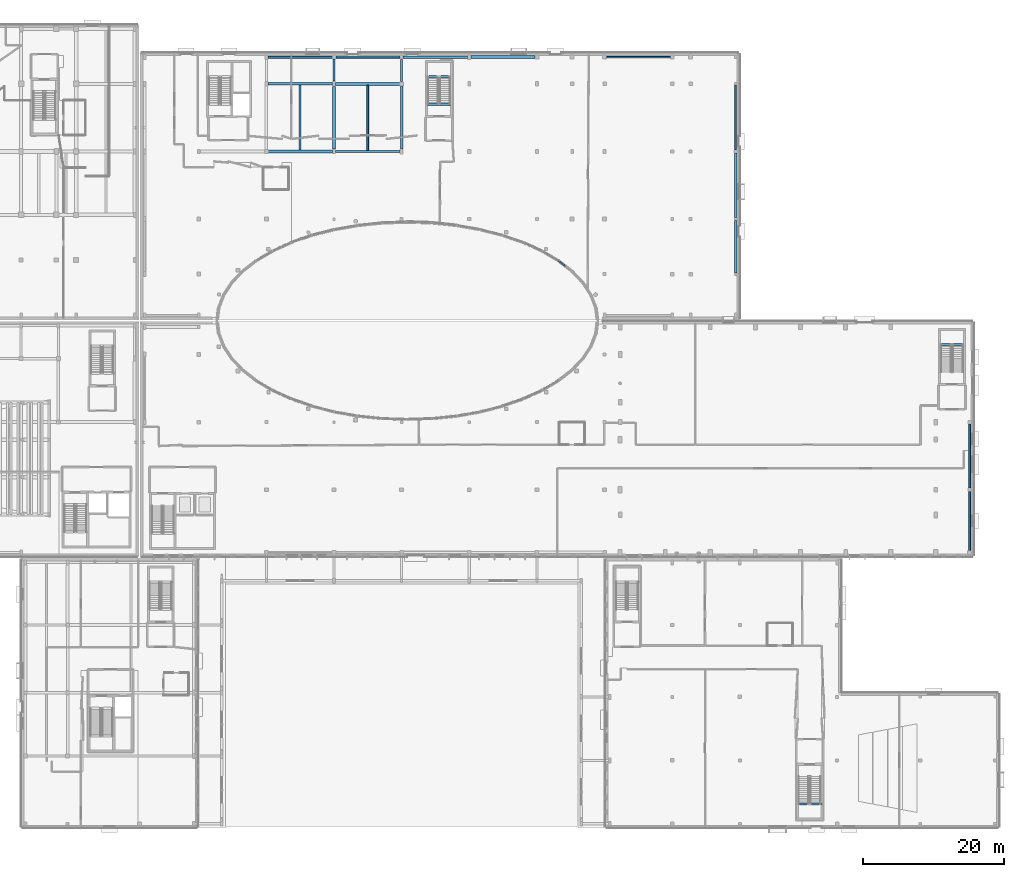
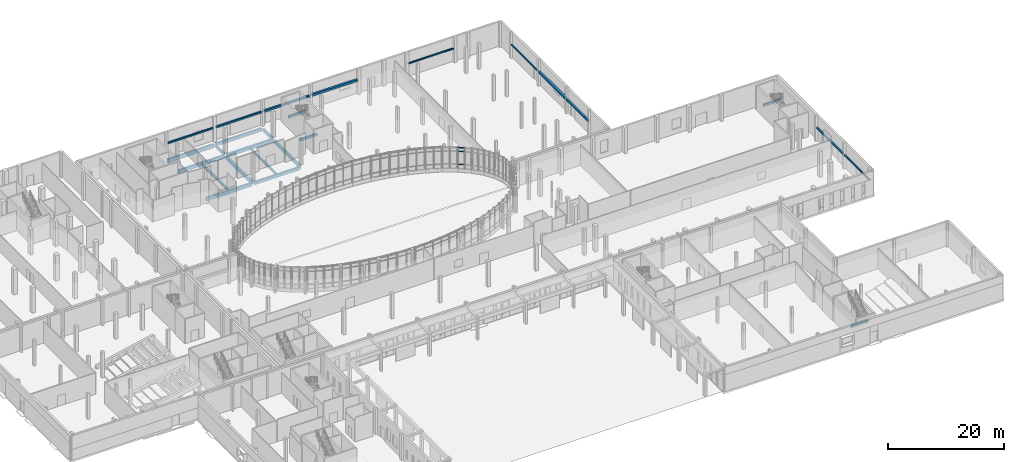
# One storey, part 26 of 84: 26 beams, 3 members, 1 element without a shape of its own.
"""IFC4 building model written with IfcOpenShell, lengths in metres."""

from ifc_helpers import new_model, si_unit, direction, frame, origin, origin_2d, place, context, subcontext, project, spatial, rectangle, extrude, material, material_profile, profile_set, type_object, element, aggregate, save


model = new_model("IFC4")

# Units and contexts
model_context = context("Model", 3, precision=1e-05, world=origin(), true_north=direction((0.0, 1.0)))
body_context = subcontext(model_context, "Body", "Model", "MODEL_VIEW")
ifc_project = project(units=[si_unit("LENGTHUNIT", "METRE"), si_unit("AREAUNIT", "SQUARE_METRE"), si_unit("VOLUMEUNIT", "CUBIC_METRE"), si_unit("PLANEANGLEUNIT", "RADIAN"), si_unit("MASSUNIT", "GRAM", prefix="KILO")], contexts=[model_context])

# Site, building, storey
site_placement = place(None, origin())
site = spatial("IfcSite", under=ifc_project, at=site_placement, CompositionType="ELEMENT")
building_placement = place(site_placement, origin())
building = spatial("IfcBuilding", under=site, at=building_placement, Name="Mzevani Central Library", CompositionType="ELEMENT")
storey_placement = place(building_placement, origin())
storey = spatial("IfcBuildingStorey", under=building, at=storey_placement, Name="L00", CompositionType="ELEMENT", Elevation=0.0)

# Beams
ifc_material_1 = material(Name="Concrete C35/45", Category="concrete")
ifc_material_profile_1 = material_profile(ifc_material_1, rectangle(XDim=0.300048828125, YDim=0.5, at=origin_2d()), Name="RC B300x500")
ifc_profile_set_1 = profile_set([ifc_material_profile_1], Name="Concrete C35/45")
beam_type_1 = type_object("IfcBeamType", Name="Beam RC 300x500", PredefinedType="BEAM", material=ifc_profile_set_1)
beam_1_placement = place(storey_placement, frame((73.60009765625, 109.97509765625, -0.64990234375), z_axis=(0.0, 1.0, 0.0), x_axis=(-1.0, 0.0, 0.0)))
element("IfcBeam", 1, at=beam_1_placement, inside=storey, type_object=beam_type_1, Name="L00 V3 Frame Beam B-01 (440)", PredefinedType="BEAM", context=body_context, shape_type="SweptSolid", body=[
    extrude(rectangle(XDim=0.300048828125, YDim=0.5, at=origin_2d()), origin(), (0.0, 0.0, 1.0), 3.125),
])
for number, where, z_axis, x_axis, name in (
    (2, (159.580078125, 72.6201171875, 2.25), (1.0, 0.0, 0.0), (0.0, 1.0, 0.0), "L00 Core C1B Reading Hall East Stair Landing Beam 1"),
    (3, (86.780029296875, 110.6201171875, 2.25), (1.0, 0.0, 0.0), (0.0, 1.0, 0.0), "L00 Core C3B Atrium East Escape Stair Stair Landing Beam 1"),
    (4, (86.780029296875, 106.699951171875, -0.25), (1.0, 0.0, 0.0), (0.0, 1.0, 0.0), "L00 Core C3B Atrium East Escape Stair Stair Opening Trimmer Beam"),
):
    element("IfcBeam", number, at=place(storey_placement, frame(where, z_axis=z_axis, x_axis=x_axis)), inside=storey, type_object=beam_type_1, Name=name, PredefinedType="BEAM", context=body_context, shape_type="SweptSolid", body=[
        extrude(rectangle(XDim=0.300048828125, YDim=0.5, at=origin_2d()), origin(), (0.0, 0.0, 1.0), 3.43994140625),
    ])
beam_2_placement = place(storey_placement, frame((139.3798828125, 7.3798828125, 2.25), z_axis=(1.0, 0.0, 0.0), x_axis=(0.0, 1.0, 0.0)))
element("IfcBeam", 5, at=beam_2_placement, inside=storey, type_object=beam_type_1, Name="L00 Core C6B Children's Pavilion East Stair Stair Landing Beam 1", PredefinedType="BEAM", context=body_context, shape_type="SweptSolid", body=[
    extrude(rectangle(XDim=0.300048828125, YDim=0.5, at=origin_2d()), origin(), (0.0, 0.0, 1.0), 3.440185546875),
])
ifc_material_profile_2 = material_profile(ifc_material_1, rectangle(XDim=0.300048828125, YDim=0.60009765625, at=origin_2d()), Name="RC B300x600")
ifc_profile_set_2 = profile_set([ifc_material_profile_2], Name="Concrete C35/45")
beam_type_2 = type_object("IfcBeamType", Name="Beam RC 300x600", PredefinedType="BEAM", material=ifc_profile_set_2)
beam_3_placement = place(storey_placement, frame((83.199951171875, 109.89990234375, -0.699951171875), z_axis=(0.0, 1.0, 0.0), x_axis=(-1.0, 0.0, 0.0)))
element("IfcBeam", 6, at=beam_3_placement, inside=storey, type_object=beam_type_2, Name="L00 V3 Frame Beam B-03 (442)", PredefinedType="BEAM", context=body_context, shape_type="SweptSolid", body=[
    extrude(rectangle(XDim=0.300048828125, YDim=0.60009765625, at=origin_2d()), origin(), (0.0, 0.0, 1.0), 3.175048828125),
])
ifc_material_profile_3 = material_profile(ifc_material_1, rectangle(XDim=0.35009765625, YDim=0.64990234375, at=origin_2d()), Name="RC B350x650")
ifc_profile_set_3 = profile_set([ifc_material_profile_3], Name="Concrete C35/45")
beam_type_3 = type_object("IfcBeamType", Name="Beam RC 350x650", PredefinedType="BEAM", material=ifc_profile_set_3)
beam_4_placement = place(storey_placement, frame((73.824951171875, 100.0, -0.72509765625), z_axis=(1.0, 0.0, 0.0), x_axis=(0.0, 1.0, 0.0)))
element("IfcBeam", 7, at=beam_4_placement, inside=storey, type_object=beam_type_3, Name="L00 V3 Girder B-05 (432)", PredefinedType="BEAM", context=body_context, shape_type="SweptSolid", body=[
    extrude(rectangle(XDim=0.35009765625, YDim=0.64990234375, at=origin_2d()), origin(), (0.0, 0.0, 1.0), 9.150146484375),
])
beam_5_placement = place(storey_placement, frame((73.800048828125, 113.39990234375, -0.72509765625), z_axis=(1.0, 0.0, 0.0), x_axis=(0.0, 1.0, 0.0)))
element("IfcBeam", 8, at=beam_5_placement, inside=storey, type_object=beam_type_3, Name="L00 V3 Girder B-05 (436)", PredefinedType="BEAM", context=body_context, shape_type="SweptSolid", body=[
    extrude(rectangle(XDim=0.35009765625, YDim=0.64990234375, at=origin_2d()), origin(), (0.0, 0.0, 1.0), 9.175048828125),
])
ifc_material_profile_4 = material_profile(ifc_material_1, rectangle(XDim=0.35009765625, YDim=0.699951171875, at=origin_2d()), Name="RC B350x700")
ifc_profile_set_4 = profile_set([ifc_material_profile_4], Name="Concrete C35/45")
beam_type_4 = type_object("IfcBeamType", Name="Beam RC 350x700", PredefinedType="BEAM", material=ifc_profile_set_4)
beam_6_placement = place(storey_placement, frame((64.22509765625, 109.60009765625, -0.75), z_axis=(1.0, 0.0, 0.0), x_axis=(0.0, 1.0, 0.0)))
element("IfcBeam", 9, at=beam_6_placement, inside=storey, type_object=beam_type_4, Name="L00 V3 Girder B-06 (433)", PredefinedType="BEAM", context=body_context, shape_type="SweptSolid", body=[
    extrude(rectangle(XDim=0.35009765625, YDim=0.699951171875, at=origin_2d()), origin(), (0.0, 0.0, 1.0), 9.14990234375),
])
beam_7_placement = place(storey_placement, frame((83.199951171875, 100.375, -0.75), z_axis=(0.0, 1.0, 0.0), x_axis=(-1.0, 0.0, 0.0)))
element("IfcBeam", 10, at=beam_7_placement, inside=storey, type_object=beam_type_4, Name="L00 V3 Frame Beam B-06 (441)", PredefinedType="BEAM", context=body_context, shape_type="SweptSolid", body=[
    extrude(rectangle(XDim=0.35009765625, YDim=0.699951171875, at=origin_2d()), origin(), (0.0, 0.0, 1.0), 8.925048828125),
])
ifc_material_profile_5 = material_profile(ifc_material_1, rectangle(XDim=0.39990234375, YDim=0.64990234375, at=origin_2d()), Name="RC B400x650")
ifc_profile_set_5 = profile_set([ifc_material_profile_5], Name="Concrete C35/45")
beam_type_5 = type_object("IfcBeamType", Name="Beam RC 400x650", PredefinedType="BEAM", material=ifc_profile_set_5)
beam_8_placement = place(storey_placement, frame((73.824951171875, 109.60009765625, -0.72509765625), z_axis=(1.0, 0.0, 0.0), x_axis=(0.0, 1.0, 0.0)))
element("IfcBeam", 11, at=beam_8_placement, inside=storey, type_object=beam_type_5, Name="L00 V3 Girder B-07 (434)", PredefinedType="BEAM", context=body_context, shape_type="SweptSolid", body=[
    extrude(rectangle(XDim=0.39990234375, YDim=0.64990234375, at=origin_2d()), origin(), (0.0, 0.0, 1.0), 9.175048828125),
])
ifc_material_profile_6 = material_profile(ifc_material_1, rectangle(XDim=0.39990234375, YDim=0.699951171875, at=origin_2d()), Name="RC B400x700")
ifc_profile_set_6 = profile_set([ifc_material_profile_6], Name="Concrete C35/45")
beam_type_6 = type_object("IfcBeamType", Name="Beam RC 400x700", PredefinedType="BEAM", material=ifc_profile_set_6)
beam_9_placement = place(storey_placement, frame((64.199951171875, 100.0, -0.75), z_axis=(1.0, 0.0, 0.0), x_axis=(0.0, 1.0, 0.0)))
element("IfcBeam", 12, at=beam_9_placement, inside=storey, type_object=beam_type_6, Name="L00 V3 Girder B-08 (431)", PredefinedType="BEAM", context=body_context, shape_type="SweptSolid", body=[
    extrude(rectangle(XDim=0.39990234375, YDim=0.699951171875, at=origin_2d()), origin(), (0.0, 0.0, 1.0), 9.175048828125),
])
beam_10_placement = place(storey_placement, frame((73.60009765625, 100.324951171875, -0.75), z_axis=(0.0, 1.0, 0.0), x_axis=(-1.0, 0.0, 0.0)))
element("IfcBeam", 13, at=beam_10_placement, inside=storey, type_object=beam_type_6, Name="L00 V3 Frame Beam B-08 (439)", PredefinedType="BEAM", context=body_context, shape_type="SweptSolid", body=[
    extrude(rectangle(XDim=0.39990234375, YDim=0.699951171875, at=origin_2d()), origin(), (0.0, 0.0, 1.0), 8.900146484375),
])

# Curtain wall, members
ifc_material_2 = material(Name="Thermally broken aluminium and Low-E triple glazing", Category="aluminium")
curtain_wall_type = type_object("IfcCurtainWallType", Name="Elliptical Court Unitised Curtain Wall", PredefinedType="NOTDEFINED", material=ifc_material_2)
curtain_wall_placement = place(storey_placement, origin())
curtain_wall = element("IfcCurtainWall", 14, at=curtain_wall_placement, inside=storey, type_object=curtain_wall_type, Name="L00 Elliptical Court Curtain Wall 5", PredefinedType="NOTDEFINED")
ifc_material_3 = material(Name="Thermally broken aluminium AW-6060", Category="aluminium")
ifc_material_profile_7 = material_profile(ifc_material_3, rectangle(XDim=0.18994140625, YDim=0.070068359375, at=origin_2d()), Name="ALU T70x190")
ifc_profile_set_7 = profile_set([ifc_material_profile_7], Name="Thermally broken aluminium AW-6060")
member_type = type_object("IfcMemberType", Name="CW Transom 70x190", PredefinedType="USERDEFINED", material=ifc_profile_set_7)
member_1_placement = place(storey_placement, frame((106.443603515625, 83.72900390625, 1.6201171875), z_axis=(-0.791826150421, 0.610746549322, 0.0), x_axis=(-0.610746549322, -0.791826150421, 0.0)))
member_1 = element("IfcMember", 15, at=member_1_placement, type_object=member_type, Name="L00 Elliptical Court Curtain Wall 5 Transom 6", ObjectType="TRANSOM", PredefinedType="USERDEFINED", context=body_context, shape_type="SweptSolid", body=[
    extrude(rectangle(XDim=0.18994140625, YDim=0.070068359375, at=origin_2d()), origin(), (0.0, 0.0, 1.0), 1.2294921875),
])
member_2_placement = place(storey_placement, frame((106.443603515625, 83.72900390625, 4.3701171875), z_axis=(-0.791826150421, 0.610746549322, 0.0), x_axis=(-0.610746549322, -0.791826150421, 0.0)))
member_2 = element("IfcMember", 16, at=member_2_placement, type_object=member_type, Name="L00 Elliptical Court Curtain Wall 5 Transom 7", ObjectType="TRANSOM", PredefinedType="USERDEFINED", context=body_context, shape_type="SweptSolid", body=[
    extrude(rectangle(XDim=0.18994140625, YDim=0.070068359375, at=origin_2d()), origin(), (0.0, 0.0, 1.0), 1.2294921875),
])
member_3_placement = place(storey_placement, frame((106.443603515625, 83.72900390625, 5.1201171875), z_axis=(-0.791826150421, 0.610746549322, 0.0), x_axis=(-0.610746549322, -0.791826150421, 0.0)))
member_3 = element("IfcMember", 17, at=member_3_placement, type_object=member_type, Name="L00 Elliptical Court Curtain Wall 5 Transom 8", ObjectType="TRANSOM", PredefinedType="USERDEFINED", context=body_context, shape_type="SweptSolid", body=[
    extrude(rectangle(XDim=0.18994140625, YDim=0.070068359375, at=origin_2d()), origin(), (0.0, 0.0, 1.0), 1.2294921875),
])
aggregate(curtain_wall, [member_1, member_2, member_3])

# Beams
ifc_material_4 = material(Name="Precast concrete C40/50", Category="concrete")
ifc_material_profile_8 = material_profile(ifc_material_4, rectangle(XDim=0.35009765625, YDim=0.800048828125, at=origin_2d()), Name="RC SP350x800")
ifc_profile_set_8 = profile_set([ifc_material_profile_8], Name="Precast concrete C40/50")
beam_type_7 = type_object("IfcBeamType", Name="Colonnade Fascia Beam RC 350x800", PredefinedType="SPANDREL", material=ifc_profile_set_8)
beam_11_placement = place(storey_placement, frame((64.22509765625, 113.39990234375, -0.800048828125), z_axis=(1.0, 0.0, 0.0), x_axis=(0.0, 1.0, 0.0)))
element("IfcBeam", 18, at=beam_11_placement, inside=storey, type_object=beam_type_7, Name="L00 V3 Girder SP-02 (435)", PredefinedType="SPANDREL", context=body_context, shape_type="SweptSolid", body=[
    extrude(rectangle(XDim=0.35009765625, YDim=0.800048828125, at=origin_2d()), origin(), (0.0, 0.0, 1.0), 9.1748046875),
])
ifc_material_profile_9 = material_profile(ifc_material_1, rectangle(XDim=0.25, YDim=0.449951171875, at=origin_2d()), Name="RC J250x450")
ifc_profile_set_9 = profile_set([ifc_material_profile_9], Name="Concrete C35/45")
beam_type_8 = type_object("IfcBeamType", Name="Floor Joist RC 250x450", PredefinedType="JOIST", material=ifc_profile_set_9)
beam_12_placement = place(storey_placement, frame((78.39990234375, 100.175048828125, -0.625), z_axis=(0.0, 1.0, 0.0), x_axis=(-1.0, 0.0, 0.0)))
element("IfcBeam", 19, at=beam_12_placement, inside=storey, type_object=beam_type_8, Name="L00 V3 Floor Joist BJ-01 (444)", PredefinedType="JOIST", context=body_context, shape_type="SweptSolid", body=[
    extrude(rectangle(XDim=0.25, YDim=0.449951171875, at=origin_2d()), origin(), (0.0, 0.0, 1.0), 9.224853515625),
])
ifc_material_profile_10 = material_profile(ifc_material_1, rectangle(XDim=0.300048828125, YDim=0.449951171875, at=origin_2d()), Name="RC J300x450")
ifc_profile_set_10 = profile_set([ifc_material_profile_10], Name="Concrete C35/45")
beam_type_9 = type_object("IfcBeamType", Name="Floor Joist RC 300x450", PredefinedType="JOIST", material=ifc_profile_set_10)
beam_13_placement = place(storey_placement, frame((68.800048828125, 100.199951171875, -0.625), z_axis=(0.0, 1.0, 0.0), x_axis=(-1.0, 0.0, 0.0)))
element("IfcBeam", 20, at=beam_13_placement, inside=storey, type_object=beam_type_9, Name="L00 V3 Floor Joist BJ-03 (443)", PredefinedType="JOIST", context=body_context, shape_type="SweptSolid", body=[
    extrude(rectangle(XDim=0.300048828125, YDim=0.449951171875, at=origin_2d()), origin(), (0.0, 0.0, 1.0), 9.22509765625),
])
ifc_material_profile_11 = material_profile(ifc_material_4, rectangle(XDim=0.39990234375, YDim=0.449951171875, at=origin_2d()), Name="PC LN400x450")
ifc_profile_set_11 = profile_set([ifc_material_profile_11], Name="Precast concrete C40/50")
beam_type_10 = type_object("IfcBeamType", Name="Precast Portal Lintel 400x450", PredefinedType="LINTEL", material=ifc_profile_set_11)
beam_14_placement = place(storey_placement, frame((93.02490234375, 113.39990234375, 2.97509765625), z_axis=(1.0, 0.0, 0.0), x_axis=(0.0, 1.0, 0.0)))
element("IfcBeam", 21, at=beam_14_placement, inside=storey, type_object=beam_type_10, Name="L00 V3 Precast Portal Lintel (30)", PredefinedType="LINTEL", context=body_context, shape_type="SweptSolid", body=[
    extrude(rectangle(XDim=0.39990234375, YDim=0.449951171875, at=origin_2d()), origin(), (0.0, 0.0, 1.0), 9.10009765625),
])
beam_15_placement = place(storey_placement, frame((130.60009765625, 90.60009765625, 2.97509765625), z_axis=(0.0, 1.0, 0.0), x_axis=(-1.0, 0.0, 0.0)))
element("IfcBeam", 22, at=beam_15_placement, inside=storey, type_object=beam_type_10, Name="L00 V3 Precast Portal Lintel (36)", PredefinedType="LINTEL", context=body_context, shape_type="SweptSolid", body=[
    extrude(rectangle(XDim=0.39990234375, YDim=0.449951171875, at=origin_2d()), origin(), (0.0, 0.0, 1.0), 9.1748046875),
])
ifc_material_profile_12 = material_profile(ifc_material_4, rectangle(XDim=0.199951171875, YDim=0.25, at=origin_2d()), Name="PC LN200x250")
ifc_profile_set_12 = profile_set([ifc_material_profile_12], Name="Precast concrete C40/50")
beam_type_11 = type_object("IfcBeamType", Name="Precast Window Lintel 200x250", PredefinedType="LINTEL", material=ifc_profile_set_12)
beam_16_placement = place(storey_placement, frame((112.27490234375, 113.39990234375, 2.875), z_axis=(1.0, 0.0, 0.0), x_axis=(0.0, 1.0, 0.0)))
element("IfcBeam", 23, at=beam_16_placement, inside=storey, type_object=beam_type_11, Name="L00 V3 Precast Portal Lintel (31)", PredefinedType="LINTEL", context=body_context, shape_type="SweptSolid", body=[
    extrude(rectangle(XDim=0.199951171875, YDim=0.25, at=origin_2d()), origin(), (0.0, 0.0, 1.0), 9.050048828125),
])
beam_17_placement = place(storey_placement, frame((130.60009765625, 100.22509765625, 2.875), z_axis=(0.0, 1.0, 0.0), x_axis=(-1.0, 0.0, 0.0)))
element("IfcBeam", 24, at=beam_17_placement, inside=storey, type_object=beam_type_11, Name="L00 V3 Precast Portal Lintel (37)", PredefinedType="LINTEL", context=body_context, shape_type="SweptSolid", body=[
    extrude(rectangle(XDim=0.199951171875, YDim=0.25, at=origin_2d()), origin(), (0.0, 0.0, 1.0), 9.199951171875),
])
ifc_material_profile_13 = material_profile(ifc_material_4, rectangle(XDim=0.25, YDim=0.300048828125, at=origin_2d()), Name="PC LN250x300")
ifc_profile_set_13 = profile_set([ifc_material_profile_13], Name="Precast concrete C40/50")
beam_type_12 = type_object("IfcBeamType", Name="Precast Window Lintel 250x300", PredefinedType="LINTEL", material=ifc_profile_set_13)
beam_18_placement = place(storey_placement, frame((163.800048828125, 43.375, 2.89990234375), z_axis=(0.0, 1.0, 0.0), x_axis=(-1.0, 0.0, 0.0)))
element("IfcBeam", 25, at=beam_18_placement, inside=storey, type_object=beam_type_12, Name="L00 V1 Precast Portal Lintel (8)", PredefinedType="LINTEL", context=body_context, shape_type="SweptSolid", body=[
    extrude(rectangle(XDim=0.25, YDim=0.300048828125, at=origin_2d()), origin(), (0.0, 0.0, 1.0), 8.39990234375),
])
ifc_material_profile_14 = material_profile(ifc_material_4, rectangle(XDim=0.280029296875, YDim=0.320068359375, at=origin_2d()), Name="PC LN280x320")
ifc_profile_set_14 = profile_set([ifc_material_profile_14], Name="Precast concrete C40/50")
beam_type_13 = type_object("IfcBeamType", Name="Precast Window Lintel 280x320", PredefinedType="LINTEL", material=ifc_profile_set_14)
beam_19_placement = place(storey_placement, frame((163.800048828125, 52.22509765625, 2.909912109375), z_axis=(0.0, 1.0, 0.0), x_axis=(-1.0, 0.0, 0.0)))
element("IfcBeam", 26, at=beam_19_placement, inside=storey, type_object=beam_type_13, Name="L00 V1 Precast Portal Lintel (9)", PredefinedType="LINTEL", context=body_context, shape_type="SweptSolid", body=[
    extrude(rectangle(XDim=0.280029296875, YDim=0.320068359375, at=origin_2d()), origin(), (0.0, 0.0, 1.0), 9.125),
])
beam_20_placement = place(storey_placement, frame((64.22509765625, 113.39990234375, 2.909912109375), z_axis=(1.0, 0.0, 0.0), x_axis=(0.0, 1.0, 0.0)))
element("IfcBeam", 27, at=beam_20_placement, inside=storey, type_object=beam_type_13, Name="L00 V3 Precast Portal Lintel (27)", PredefinedType="LINTEL", context=body_context, shape_type="SweptSolid", body=[
    extrude(rectangle(XDim=0.280029296875, YDim=0.320068359375, at=origin_2d()), origin(), (0.0, 0.0, 1.0), 9.099853515625),
])
ifc_material_profile_15 = material_profile(ifc_material_4, rectangle(XDim=0.300048828125, YDim=0.35009765625, at=origin_2d()), Name="PC LN300x350")
ifc_profile_set_15 = profile_set([ifc_material_profile_15], Name="Precast concrete C40/50")
beam_type_14 = type_object("IfcBeamType", Name="Precast Window Lintel 300x350", PredefinedType="LINTEL", material=ifc_profile_set_15)
beam_21_placement = place(storey_placement, frame((73.875, 113.39990234375, 2.925048828125), z_axis=(1.0, 0.0, 0.0), x_axis=(0.0, 1.0, 0.0)))
element("IfcBeam", 28, at=beam_21_placement, inside=storey, type_object=beam_type_14, Name="L00 V3 Precast Portal Lintel (28)", PredefinedType="LINTEL", context=body_context, shape_type="SweptSolid", body=[
    extrude(rectangle(XDim=0.300048828125, YDim=0.35009765625, at=origin_2d()), origin(), (0.0, 0.0, 1.0), 9.125),
])
ifc_material_profile_16 = material_profile(ifc_material_4, rectangle(XDim=0.35009765625, YDim=0.39990234375, at=origin_2d()), Name="PC LN350x400")
ifc_profile_set_16 = profile_set([ifc_material_profile_16], Name="Precast concrete C40/50")
beam_type_15 = type_object("IfcBeamType", Name="Precast Window Lintel 350x400", PredefinedType="LINTEL", material=ifc_profile_set_16)
beam_22_placement = place(storey_placement, frame((83.39990234375, 113.39990234375, 2.949951171875), z_axis=(1.0, 0.0, 0.0), x_axis=(0.0, 1.0, 0.0)))
element("IfcBeam", 29, at=beam_22_placement, inside=storey, type_object=beam_type_15, Name="L00 V3 Precast Portal Lintel (29)", PredefinedType="LINTEL", context=body_context, shape_type="SweptSolid", body=[
    extrude(rectangle(XDim=0.35009765625, YDim=0.39990234375, at=origin_2d()), origin(), (0.0, 0.0, 1.0), 9.175048828125),
])
beam_23_placement = place(storey_placement, frame((130.60009765625, 82.77490234375, 2.949951171875), z_axis=(0.0, 1.0, 0.0), x_axis=(-1.0, 0.0, 0.0)))
element("IfcBeam", 30, at=beam_23_placement, inside=storey, type_object=beam_type_15, Name="L00 V3 Precast Portal Lintel (35)", PredefinedType="LINTEL", context=body_context, shape_type="SweptSolid", body=[
    extrude(rectangle(XDim=0.35009765625, YDim=0.39990234375, at=origin_2d()), origin(), (0.0, 0.0, 1.0), 7.425048828125),
])

save(model, "model.ifc")
